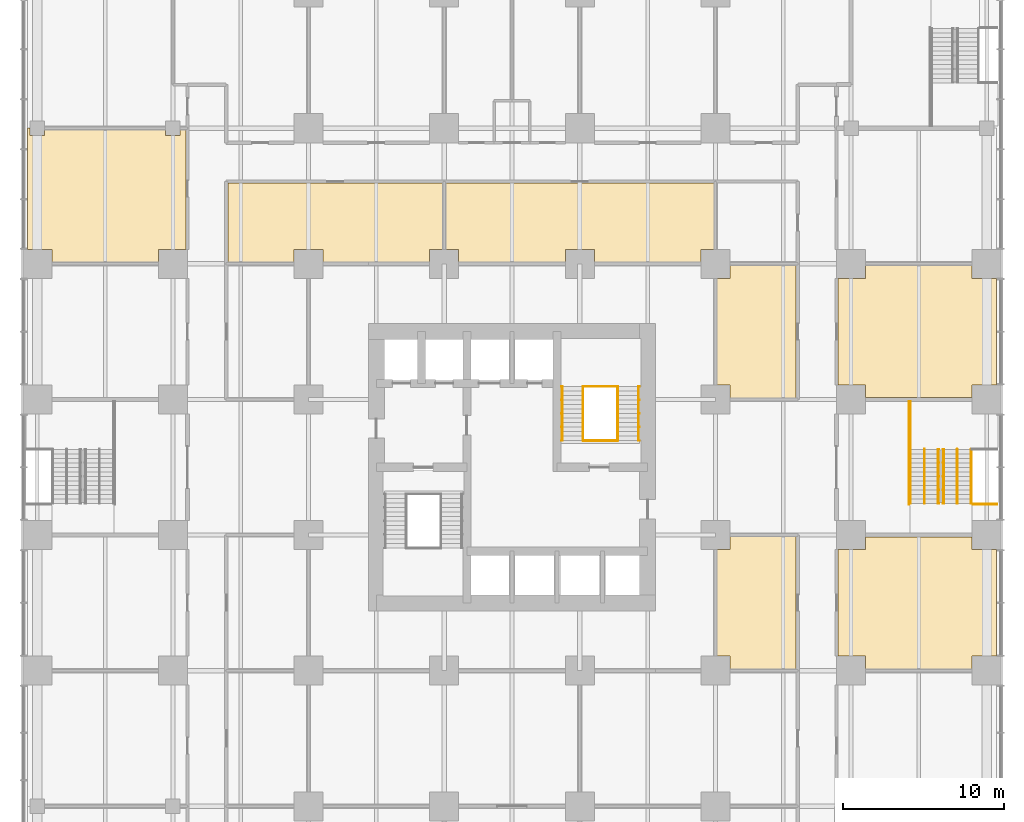
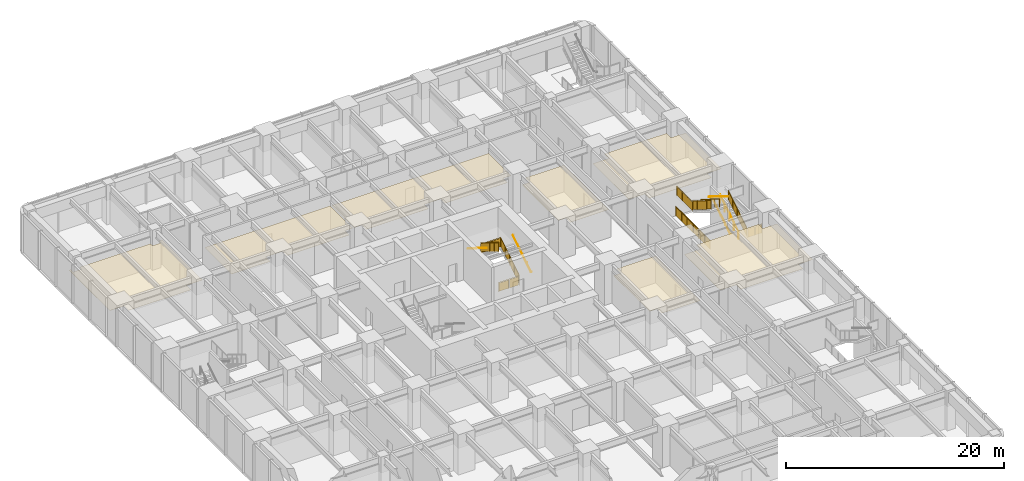
# One storey, part 18 of 19: 15 railings, 7 coverings.
"""IFC4 building model written with IfcOpenShell, lengths in metres."""

from ifc_helpers import new_model, si_unit, direction, frame, origin, origin_2d, place, context, subcontext, project, spatial, polyline, circle, outline, extrude, material, layer, layer_set, type_object, element, save


model = new_model("IFC4")

# Units and contexts
model_context = context("Model", 3, precision=1e-05, world=origin(), true_north=direction((0.0, 1.0)))
body_context = subcontext(model_context, "Body", "Model", "MODEL_VIEW")
ifc_project = project(units=[si_unit("LENGTHUNIT", "METRE"), si_unit("AREAUNIT", "SQUARE_METRE"), si_unit("VOLUMEUNIT", "CUBIC_METRE"), si_unit("PLANEANGLEUNIT", "RADIAN"), si_unit("MASSUNIT", "GRAM", prefix="KILO")], contexts=[model_context])

# Site, building, storey
site_placement = place(None, origin())
site = spatial("IfcSite", under=ifc_project, at=site_placement, CompositionType="ELEMENT")
building_placement = place(site_placement, origin())
building = spatial("IfcBuilding", under=site, at=building_placement, Name="Torre Alcanfor", CompositionType="ELEMENT")
storey_placement = place(building_placement, frame((0.0, 0.0, 6.0)))
storey = spatial("IfcBuildingStorey", under=building, at=storey_placement, Name="L01", CompositionType="ELEMENT", Elevation=6.0)

# Coverings
ifc_material_1 = material(Name="Mineral fibre acoustic tile 20 mm, NRC 0.70, on exposed suspension grid", Category="mineral fibre")
ifc_layer = layer(ifc_material_1, 0.02001953125)
ifc_layer_set = layer_set([ifc_layer], Name="Acoustic suspended ceiling 600x600 mineral fibre tile")
covering_type = type_object("IfcCoveringType", Name="Acoustic suspended ceiling 600x600 mineral fibre tile", PredefinedType="CEILING", material=ifc_layer_set)
covering_1_placement = place(storey_placement, frame((0.0, 0.0, 2.75)))
element("IfcCovering", 1, at=covering_1_placement, inside=storey, type_object=covering_type, Name="Ceiling L01-15", PredefinedType="CEILING", context=body_context, shape_type="SweptSolid", body=[
    extrude(outline(polyline([(57.89990234375, 16.875), (57.89990234375, 17.699951171875), (59.425048828125, 17.699951171875), (59.425048828125, 24.300048828125), (57.89990234375, 24.300048828125), (57.89990234375, 25.074951171875), (51.300048828125, 25.074951171875), (51.300048828125, 24.300048828125), (49.60009765625, 24.300048828125), (49.60009765625, 17.699951171875), (51.300048828125, 17.699951171875), (51.300048828125, 16.875), (57.89990234375, 16.875)])), origin(), (0.0, 0.0, 1.0), 0.02001953125),
])
covering_2_placement = place(storey_placement, frame((0.0, 0.0, 2.75)))
element("IfcCovering", 2, at=covering_2_placement, inside=storey, type_object=covering_type, Name="Ceiling L01-17", PredefinedType="CEILING", context=body_context, shape_type="SweptSolid", body=[
    extrude(outline(polyline([(57.89990234375, 33.72509765625), (57.89990234375, 34.5), (59.425048828125, 34.5), (59.425048828125, 41.10009765625), (57.89990234375, 41.10009765625), (57.89990234375, 41.925048828125), (51.300048828125, 41.925048828125), (51.300048828125, 41.10009765625), (49.60009765625, 41.10009765625), (49.60009765625, 34.5), (51.300048828125, 34.5), (51.300048828125, 33.72509765625), (57.89990234375, 33.72509765625)])), origin(), (0.0, 0.0, 1.0), 0.02001953125),
])
covering_3_placement = place(storey_placement, frame((0.0, 0.0, 2.75)))
element("IfcCovering", 3, at=covering_3_placement, inside=storey, type_object=covering_type, Name="Ceiling L01-18", PredefinedType="CEILING", context=body_context, shape_type="SweptSolid", body=[
    extrude(outline(polyline([(-0.449951171875, 49.949951171875), (-0.449951171875, 50.39990234375), (-0.625, 50.39990234375), (-0.625, 42.89990234375), (0.89990234375, 42.89990234375), (0.89990234375, 42.074951171875), (7.5, 42.074951171875), (7.5, 42.89990234375), (9.199951171875, 42.89990234375), (9.199951171875, 50.324951171875), (8.85009765625, 50.324951171875), (8.85009765625, 49.949951171875), (7.949951171875, 49.949951171875), (7.949951171875, 50.324951171875), (0.449951171875, 50.324951171875), (0.449951171875, 49.949951171875), (-0.449951171875, 49.949951171875)])), origin(), (0.0, 0.0, 1.0), 0.02001953125),
])
covering_4_placement = place(storey_placement, frame((0.0, 0.0, 3.0)))
element("IfcCovering", 4, at=covering_4_placement, inside=storey, type_object=covering_type, Name="Ceiling L01-I09", PredefinedType="CEILING", context=body_context, shape_type="SweptSolid", body=[
    extrude(outline(polyline([(42.89990234375, 25.10009765625), (42.89990234375, 24.300048828125), (42.10009765625, 24.300048828125), (42.10009765625, 17.699951171875), (42.89990234375, 17.699951171875), (42.89990234375, 16.875), (47.0, 16.875), (47.0, 25.10009765625), (42.89990234375, 25.10009765625)])), origin(), (0.0, 0.0, 1.0), 0.02001953125),
])
covering_5_placement = place(storey_placement, frame((0.0, 0.0, 3.0)))
element("IfcCovering", 5, at=covering_5_placement, inside=storey, type_object=covering_type, Name="Ceiling L01-I11", PredefinedType="CEILING", context=body_context, shape_type="SweptSolid", body=[
    extrude(outline(polyline([(42.10009765625, 34.5), (42.89990234375, 34.5), (42.89990234375, 33.699951171875), (47.0, 33.699951171875), (47.0, 41.925048828125), (42.89990234375, 41.925048828125), (42.89990234375, 41.10009765625), (42.10009765625, 41.10009765625), (42.10009765625, 34.5)])), origin(), (0.0, 0.0, 1.0), 0.02001953125),
])
covering_6_placement = place(storey_placement, frame((0.0, 0.0, 3.0)))
element("IfcCovering", 6, at=covering_6_placement, inside=storey, type_object=covering_type, Name="Ceiling L01-I12", PredefinedType="CEILING", context=body_context, shape_type="SweptSolid", body=[
    extrude(outline(polyline([(24.300048828125, 42.10009765625), (24.300048828125, 42.89990234375), (25.125, 42.89990234375), (25.125, 47.0), (11.800048828125, 47.0), (11.800048828125, 42.074951171875), (15.89990234375, 42.074951171875), (15.89990234375, 42.89990234375), (17.699951171875, 42.89990234375), (17.699951171875, 42.10009765625), (24.300048828125, 42.10009765625)])), origin(), (0.0, 0.0, 1.0), 0.02001953125),
])
covering_7_placement = place(storey_placement, frame((0.0, 0.0, 3.0)))
element("IfcCovering", 7, at=covering_7_placement, inside=storey, type_object=covering_type, Name="Ceiling L01-I13", PredefinedType="CEILING", context=body_context, shape_type="SweptSolid", body=[
    extrude(outline(polyline([(41.10009765625, 42.10009765625), (41.10009765625, 42.89990234375), (41.925048828125, 42.89990234375), (41.925048828125, 47.0), (25.27490234375, 47.0), (25.27490234375, 42.89990234375), (26.10009765625, 42.89990234375), (26.10009765625, 42.10009765625), (32.699951171875, 42.10009765625), (32.699951171875, 42.89990234375), (34.5, 42.89990234375), (34.5, 42.10009765625), (41.10009765625, 42.10009765625)])), origin(), (0.0, 0.0, 1.0), 0.02001953125),
])

# Railings
ifc_material_2 = material(Name="Steel ASTM A500 Grade C hollow sections", Category="steel")
railing_type_1 = type_object("IfcRailingType", Name="Stair guard and handrail 1100", PredefinedType="GUARDRAIL", material=ifc_material_2)
railing_1_placement = place(storey_placement, frame((35.949951171875, 31.050048828125, 0.173095703125)))
element("IfcRailing", 8, at=railing_1_placement, inside=storey, type_object=railing_type_1, Name="Stair guard S2 L01 flight 1", PredefinedType="GUARDRAIL", context=body_context, shape_type="SweptSolid", body=[
    extrude(circle(Radius=0.02392578125, at=origin_2d()), frame((0.0, 0.0, 1.076171875), z_axis=(0.0, 0.850606129759, 0.525803396734), x_axis=(-1.0, 0.0, 0.0)), (0.0, 0.0, 1.0), 3.949951171875),
    extrude(circle(Radius=0.02099609375, at=origin_2d()), origin(), (0.0, 0.0, 1.0), 1.052001953125),
    extrude(circle(Radius=0.02099609375, at=origin_2d()), frame((0.0, 0.83984375, 0.519287109375)), (0.0, 0.0, 1.0), 1.052001953125),
    extrude(circle(Radius=0.02099609375, at=origin_2d()), frame((0.0, 1.679931640625, 1.03857421875)), (0.0, 0.0, 1.0), 1.052001953125),
    extrude(circle(Radius=0.02099609375, at=origin_2d()), frame((0.0, 2.52001953125, 1.5576171875)), (0.0, 0.0, 1.0), 1.052001953125),
    extrude(circle(Radius=0.02099609375, at=origin_2d()), frame((0.0, 3.35986328125, 2.076904296875)), (0.0, 0.0, 1.0), 1.052001953125),
    extrude(outline(polyline([(0.041015625, 0.075439453125), (0.799072265625, 0.5439453125), (0.799072265625, 1.495849609375), (0.041015625, 1.02734375), (0.041015625, 0.075439453125)])), frame((-0.005859375, 0.0, 0.0), z_axis=(1.0, 0.0, 0.0), x_axis=(0.0, 1.0, 0.0)), (0.0, 0.0, 1.0), 0.011962890625),
    extrude(outline(polyline([(0.880859375, 0.594482421875), (1.638916015625, 1.06298828125), (1.638916015625, 2.01513671875), (0.880859375, 1.546630859375), (0.880859375, 0.594482421875)])), frame((-0.005859375, 0.0, 0.0), z_axis=(1.0, 0.0, 0.0), x_axis=(0.0, 1.0, 0.0)), (0.0, 0.0, 1.0), 0.011962890625),
    extrude(outline(polyline([(1.720947265625, 1.11376953125), (2.47900390625, 1.582275390625), (2.47900390625, 2.534423828125), (1.720947265625, 2.06591796875), (1.720947265625, 1.11376953125)])), frame((-0.005859375, 0.0, 0.0), z_axis=(1.0, 0.0, 0.0), x_axis=(0.0, 1.0, 0.0)), (0.0, 0.0, 1.0), 0.011962890625),
    extrude(outline(polyline([(2.560791015625, 1.633056640625), (3.31884765625, 2.1015625), (3.31884765625, 3.053466796875), (2.560791015625, 2.5849609375), (2.560791015625, 1.633056640625)])), frame((-0.005859375, 0.0, 0.0), z_axis=(1.0, 0.0, 0.0), x_axis=(0.0, 1.0, 0.0)), (0.0, 0.0, 1.0), 0.011962890625),
])
railing_2_placement = place(storey_placement, frame((33.800048828125, 34.409912109375, 2.423095703125)))
element("IfcRailing", 9, at=railing_2_placement, inside=storey, type_object=railing_type_1, Name="Stair guard S2 L01 flight 2", PredefinedType="GUARDRAIL", context=body_context, shape_type="SweptSolid", body=[
    extrude(circle(Radius=0.02392578125, at=origin_2d()), frame((0.0, 0.0, 1.076171875), z_axis=(0.0, -0.850606129759, 0.525803396734), x_axis=(1.0, 0.0, 0.0)), (0.0, 0.0, 1.0), 3.949951171875),
    extrude(circle(Radius=0.02099609375, at=origin_2d()), origin(), (0.0, 0.0, 1.0), 1.052001953125),
    extrude(circle(Radius=0.02099609375, at=origin_2d()), frame((0.0, -0.83984375, 0.519287109375)), (0.0, 0.0, 1.0), 1.052001953125),
    extrude(circle(Radius=0.02099609375, at=origin_2d()), frame((0.0, -1.679931640625, 1.03857421875)), (0.0, 0.0, 1.0), 1.052001953125),
    extrude(circle(Radius=0.02099609375, at=origin_2d()), frame((0.0, -2.52001953125, 1.5576171875)), (0.0, 0.0, 1.0), 1.052001953125),
    extrude(circle(Radius=0.02099609375, at=origin_2d()), frame((0.0, -3.35986328125, 2.076904296875)), (0.0, 0.0, 1.0), 1.052001953125),
    extrude(outline(polyline([(0.041015625, 0.075439453125), (0.799072265625, 0.5439453125), (0.799072265625, 1.495849609375), (0.041015625, 1.02734375), (0.041015625, 0.075439453125)])), frame((0.005859375, 0.0, 0.0), z_axis=(-1.0, 0.0, 0.0), x_axis=(0.0, -1.0, 0.0)), (0.0, 0.0, 1.0), 0.011962890625),
    extrude(outline(polyline([(0.880859375, 0.594482421875), (1.638916015625, 1.06298828125), (1.638916015625, 2.01513671875), (0.880859375, 1.546630859375), (0.880859375, 0.594482421875)])), frame((0.005859375, 0.0, 0.0), z_axis=(-1.0, 0.0, 0.0), x_axis=(0.0, -1.0, 0.0)), (0.0, 0.0, 1.0), 0.011962890625),
    extrude(outline(polyline([(1.720947265625, 1.11376953125), (2.47900390625, 1.582275390625), (2.47900390625, 2.534423828125), (1.720947265625, 2.06591796875), (1.720947265625, 1.11376953125)])), frame((0.005859375, 0.0, 0.0), z_axis=(-1.0, 0.0, 0.0), x_axis=(0.0, -1.0, 0.0)), (0.0, 0.0, 1.0), 0.011962890625),
    extrude(outline(polyline([(2.560791015625, 1.633056640625), (3.31884765625, 2.1015625), (3.31884765625, 3.053466796875), (2.560791015625, 2.5849609375), (2.560791015625, 1.633056640625)])), frame((0.005859375, 0.0, 0.0), z_axis=(-1.0, 0.0, 0.0), x_axis=(0.0, -1.0, 0.0)), (0.0, 0.0, 1.0), 0.011962890625),
])
for number, where, name in (
    (10, (33.800048828125, 31.050048828125, 0.0), "Stair well guard S2 L01 floor landing"),
    (11, (33.800048828125, 34.409912109375, 2.25), "Stair well guard S2 L01 half landing"),
):
    element("IfcRailing", number, at=place(storey_placement, frame(where)), inside=storey, type_object=railing_type_1, Name=name, PredefinedType="GUARDRAIL", context=body_context, shape_type="SweptSolid", body=[
        extrude(circle(Radius=0.02392578125, at=origin_2d()), frame((0.0, 0.0, 1.076171875), z_axis=(1.0, 0.0, 0.0), x_axis=(0.0, 1.0, 0.0)), (0.0, 0.0, 1.0), 2.14990234375),
        extrude(circle(Radius=0.02099609375, at=origin_2d()), origin(), (0.0, 0.0, 1.0), 1.052001953125),
        extrude(circle(Radius=0.02099609375, at=origin_2d()), frame((1.074951171875, 0.0, 0.0)), (0.0, 0.0, 1.0), 1.052001953125),
        extrude(circle(Radius=0.02099609375, at=origin_2d()), frame((2.14990234375, 0.0, 0.0)), (0.0, 0.0, 1.0), 1.052001953125),
        extrude(outline(polyline([(0.041015625, 0.050048828125), (1.033935546875, 0.050048828125), (1.033935546875, 1.001953125), (0.041015625, 1.001953125), (0.041015625, 0.050048828125)])), frame((0.0, 0.005859375, 0.0), z_axis=(0.0, -1.0, 0.0), x_axis=(1.0, 0.0, 0.0)), (0.0, 0.0, 1.0), 0.011962890625),
        extrude(outline(polyline([(1.115966796875, 0.050048828125), (2.10888671875, 0.050048828125), (2.10888671875, 1.001953125), (1.115966796875, 1.001953125), (1.115966796875, 0.050048828125)])), frame((0.0, 0.005859375, 0.0), z_axis=(0.0, -1.0, 0.0), x_axis=(1.0, 0.0, 0.0)), (0.0, 0.0, 1.0), 0.011962890625),
    ])
railing_3_placement = place(storey_placement, frame((53.989990234375, 27.10498046875, 0.0)))
element("IfcRailing", 12, at=railing_3_placement, inside=storey, type_object=railing_type_1, Name="Stair well guard SS2 L01 door side", PredefinedType="GUARDRAIL", context=body_context, shape_type="SweptSolid", body=[
    extrude(circle(Radius=0.02392578125, at=origin_2d()), frame((0.0, 0.0, 1.076171875), z_axis=(0.0, 1.0, 0.0), x_axis=(-1.0, 0.0, 0.0)), (0.0, 0.0, 1.0), 6.360107421875),
    extrude(circle(Radius=0.02099609375, at=origin_2d()), origin(), (0.0, 0.0, 1.0), 1.052001953125),
    extrude(circle(Radius=0.02099609375, at=origin_2d()), frame((0.0, 1.06005859375, 0.0)), (0.0, 0.0, 1.0), 1.052001953125),
    extrude(circle(Radius=0.02099609375, at=origin_2d()), frame((0.0, 2.1201171875, 0.0)), (0.0, 0.0, 1.0), 1.052001953125),
    extrude(circle(Radius=0.02099609375, at=origin_2d()), frame((0.0, 3.18017578125, 0.0)), (0.0, 0.0, 1.0), 1.052001953125),
    extrude(circle(Radius=0.02099609375, at=origin_2d()), frame((0.0, 4.239990234375, 0.0)), (0.0, 0.0, 1.0), 1.052001953125),
    extrude(circle(Radius=0.02099609375, at=origin_2d()), frame((0.0, 5.300048828125, 0.0)), (0.0, 0.0, 1.0), 1.052001953125),
    extrude(circle(Radius=0.02099609375, at=origin_2d()), frame((0.0, 6.360107421875, 0.0)), (0.0, 0.0, 1.0), 1.052001953125),
    extrude(outline(polyline([(0.041015625, 0.050048828125), (1.01904296875, 0.050048828125), (1.01904296875, 1.001953125), (0.041015625, 1.001953125), (0.041015625, 0.050048828125)])), frame((-0.005859375, 0.0, 0.0), z_axis=(1.0, 0.0, 0.0), x_axis=(0.0, 1.0, 0.0)), (0.0, 0.0, 1.0), 0.011962890625),
    extrude(outline(polyline([(1.10107421875, 0.050048828125), (2.0791015625, 0.050048828125), (2.0791015625, 1.001953125), (1.10107421875, 1.001953125), (1.10107421875, 0.050048828125)])), frame((-0.005859375, 0.0, 0.0), z_axis=(1.0, 0.0, 0.0), x_axis=(0.0, 1.0, 0.0)), (0.0, 0.0, 1.0), 0.011962890625),
    extrude(outline(polyline([(2.1611328125, 0.050048828125), (3.13916015625, 0.050048828125), (3.13916015625, 1.001953125), (2.1611328125, 1.001953125), (2.1611328125, 0.050048828125)])), frame((-0.005859375, 0.0, 0.0), z_axis=(1.0, 0.0, 0.0), x_axis=(0.0, 1.0, 0.0)), (0.0, 0.0, 1.0), 0.011962890625),
    extrude(outline(polyline([(3.220947265625, 0.050048828125), (4.198974609375, 0.050048828125), (4.198974609375, 1.001953125), (3.220947265625, 1.001953125), (3.220947265625, 0.050048828125)])), frame((-0.005859375, 0.0, 0.0), z_axis=(1.0, 0.0, 0.0), x_axis=(0.0, 1.0, 0.0)), (0.0, 0.0, 1.0), 0.011962890625),
    extrude(outline(polyline([(4.281005859375, 0.050048828125), (5.259033203125, 0.050048828125), (5.259033203125, 1.001953125), (4.281005859375, 1.001953125), (4.281005859375, 0.050048828125)])), frame((-0.005859375, 0.0, 0.0), z_axis=(1.0, 0.0, 0.0), x_axis=(0.0, 1.0, 0.0)), (0.0, 0.0, 1.0), 0.011962890625),
    extrude(outline(polyline([(5.341064453125, 0.050048828125), (6.319091796875, 0.050048828125), (6.319091796875, 1.001953125), (5.341064453125, 1.001953125), (5.341064453125, 0.050048828125)])), frame((-0.005859375, 0.0, 0.0), z_axis=(1.0, 0.0, 0.0), x_axis=(0.0, 1.0, 0.0)), (0.0, 0.0, 1.0), 0.011962890625),
])
railing_4_placement = place(storey_placement, frame((59.449951171875, 27.10498046875, 0.0)))
element("IfcRailing", 13, at=railing_4_placement, inside=storey, type_object=railing_type_1, Name="Stair well guard SS2 L01 facade strip", PredefinedType="GUARDRAIL", context=body_context, shape_type="SweptSolid", body=[
    extrude(circle(Radius=0.02392578125, at=origin_2d()), frame((0.0, 0.0, 1.076171875), z_axis=(-1.0, 0.0, 0.0), x_axis=(0.0, -1.0, 0.0)), (0.0, 0.0, 1.0), 1.5),
    extrude(circle(Radius=0.02099609375, at=origin_2d()), origin(), (0.0, 0.0, 1.0), 1.052001953125),
    extrude(circle(Radius=0.02099609375, at=origin_2d()), frame((-0.75, 0.0, 0.0)), (0.0, 0.0, 1.0), 1.052001953125),
    extrude(circle(Radius=0.02099609375, at=origin_2d()), frame((-1.5, 0.0, 0.0)), (0.0, 0.0, 1.0), 1.052001953125),
    extrude(outline(polyline([(0.041015625, 0.050048828125), (0.708984375, 0.050048828125), (0.708984375, 1.001953125), (0.041015625, 1.001953125), (0.041015625, 0.050048828125)])), frame((0.0, -0.005859375, 0.0), z_axis=(0.0, 1.0, 0.0), x_axis=(-1.0, 0.0, 0.0)), (0.0, 0.0, 1.0), 0.011962890625),
    extrude(outline(polyline([(0.791015625, 0.050048828125), (1.458984375, 0.050048828125), (1.458984375, 1.001953125), (0.791015625, 1.001953125), (0.791015625, 0.050048828125)])), frame((0.0, -0.005859375, 0.0), z_axis=(0.0, 1.0, 0.0), x_axis=(-1.0, 0.0, 0.0)), (0.0, 0.0, 1.0), 0.011962890625),
])
railing_5_placement = place(storey_placement, frame((57.85009765625, 27.155029296875, 0.173095703125)))
element("IfcRailing", 14, at=railing_5_placement, inside=storey, type_object=railing_type_1, Name="Stair guard SS2 L01 flight 1", PredefinedType="GUARDRAIL", context=body_context, shape_type="SweptSolid", body=[
    extrude(circle(Radius=0.02392578125, at=origin_2d()), frame((0.0, 0.0, 1.076171875), z_axis=(0.0, 0.850606129759, 0.525803396734), x_axis=(-1.0, 0.0, 0.0)), (0.0, 0.0, 1.0), 3.949951171875),
    extrude(circle(Radius=0.02099609375, at=origin_2d()), origin(), (0.0, 0.0, 1.0), 1.052001953125),
    extrude(circle(Radius=0.02099609375, at=origin_2d()), frame((0.0, 0.83984375, 0.519287109375)), (0.0, 0.0, 1.0), 1.052001953125),
    extrude(circle(Radius=0.02099609375, at=origin_2d()), frame((0.0, 1.679931640625, 1.03857421875)), (0.0, 0.0, 1.0), 1.052001953125),
    extrude(circle(Radius=0.02099609375, at=origin_2d()), frame((0.0, 2.52001953125, 1.5576171875)), (0.0, 0.0, 1.0), 1.052001953125),
    extrude(circle(Radius=0.02099609375, at=origin_2d()), frame((0.0, 3.35986328125, 2.076904296875)), (0.0, 0.0, 1.0), 1.052001953125),
    extrude(outline(polyline([(0.041015625, 0.075439453125), (0.799072265625, 0.5439453125), (0.799072265625, 1.495849609375), (0.041015625, 1.02734375), (0.041015625, 0.075439453125)])), frame((-0.005859375, 0.0, 0.0), z_axis=(1.0, 0.0, 0.0), x_axis=(0.0, 1.0, 0.0)), (0.0, 0.0, 1.0), 0.011962890625),
    extrude(outline(polyline([(0.880859375, 0.594482421875), (1.638916015625, 1.06298828125), (1.638916015625, 2.01513671875), (0.880859375, 1.546630859375), (0.880859375, 0.594482421875)])), frame((-0.005859375, 0.0, 0.0), z_axis=(1.0, 0.0, 0.0), x_axis=(0.0, 1.0, 0.0)), (0.0, 0.0, 1.0), 0.011962890625),
    extrude(outline(polyline([(1.720947265625, 1.11376953125), (2.47900390625, 1.582275390625), (2.47900390625, 2.534423828125), (1.720947265625, 2.06591796875), (1.720947265625, 1.11376953125)])), frame((-0.005859375, 0.0, 0.0), z_axis=(1.0, 0.0, 0.0), x_axis=(0.0, 1.0, 0.0)), (0.0, 0.0, 1.0), 0.011962890625),
    extrude(outline(polyline([(2.560791015625, 1.633056640625), (3.31884765625, 2.1015625), (3.31884765625, 3.053466796875), (2.560791015625, 2.5849609375), (2.560791015625, 1.633056640625)])), frame((-0.005859375, 0.0, 0.0), z_axis=(1.0, 0.0, 0.0), x_axis=(0.0, 1.0, 0.0)), (0.0, 0.0, 1.0), 0.011962890625),
])
railing_6_placement = place(storey_placement, frame((54.090087890625, 30.514892578125, 2.423095703125)))
element("IfcRailing", 15, at=railing_6_placement, inside=storey, type_object=railing_type_1, Name="Stair guard SS2 L01 flight 2", PredefinedType="GUARDRAIL", context=body_context, shape_type="SweptSolid", body=[
    extrude(circle(Radius=0.02392578125, at=origin_2d()), frame((0.0, 0.0, 1.076171875), z_axis=(0.0, -0.850606129759, 0.525803396734), x_axis=(1.0, 0.0, 0.0)), (0.0, 0.0, 1.0), 3.949951171875),
    extrude(circle(Radius=0.02099609375, at=origin_2d()), origin(), (0.0, 0.0, 1.0), 1.052001953125),
    extrude(circle(Radius=0.02099609375, at=origin_2d()), frame((0.0, -0.83984375, 0.519287109375)), (0.0, 0.0, 1.0), 1.052001953125),
    extrude(circle(Radius=0.02099609375, at=origin_2d()), frame((0.0, -1.679931640625, 1.03857421875)), (0.0, 0.0, 1.0), 1.052001953125),
    extrude(circle(Radius=0.02099609375, at=origin_2d()), frame((0.0, -2.52001953125, 1.5576171875)), (0.0, 0.0, 1.0), 1.052001953125),
    extrude(circle(Radius=0.02099609375, at=origin_2d()), frame((0.0, -3.35986328125, 2.076904296875)), (0.0, 0.0, 1.0), 1.052001953125),
    extrude(outline(polyline([(0.041015625, 0.075439453125), (0.799072265625, 0.5439453125), (0.799072265625, 1.495849609375), (0.041015625, 1.02734375), (0.041015625, 0.075439453125)])), frame((0.005859375, 0.0, 0.0), z_axis=(-1.0, 0.0, 0.0), x_axis=(0.0, -1.0, 0.0)), (0.0, 0.0, 1.0), 0.011962890625),
    extrude(outline(polyline([(0.880859375, 0.594482421875), (1.638916015625, 1.06298828125), (1.638916015625, 2.01513671875), (0.880859375, 1.546630859375), (0.880859375, 0.594482421875)])), frame((0.005859375, 0.0, 0.0), z_axis=(-1.0, 0.0, 0.0), x_axis=(0.0, -1.0, 0.0)), (0.0, 0.0, 1.0), 0.011962890625),
    extrude(outline(polyline([(1.720947265625, 1.11376953125), (2.47900390625, 1.582275390625), (2.47900390625, 2.534423828125), (1.720947265625, 2.06591796875), (1.720947265625, 1.11376953125)])), frame((0.005859375, 0.0, 0.0), z_axis=(-1.0, 0.0, 0.0), x_axis=(0.0, -1.0, 0.0)), (0.0, 0.0, 1.0), 0.011962890625),
    extrude(outline(polyline([(2.560791015625, 1.633056640625), (3.31884765625, 2.1015625), (3.31884765625, 3.053466796875), (2.560791015625, 2.5849609375), (2.560791015625, 1.633056640625)])), frame((0.005859375, 0.0, 0.0), z_axis=(-1.0, 0.0, 0.0), x_axis=(0.0, -1.0, 0.0)), (0.0, 0.0, 1.0), 0.011962890625),
])
railing_7_placement = place(storey_placement, frame((54.090087890625, 30.514892578125, 2.25)))
element("IfcRailing", 16, at=railing_7_placement, inside=storey, type_object=railing_type_1, Name="Stair guard SS2 L01 half landing", PredefinedType="GUARDRAIL", context=body_context, shape_type="SweptSolid", body=[
    extrude(circle(Radius=0.02392578125, at=origin_2d()), frame((0.0, 0.0, 1.076171875), z_axis=(0.0, 1.0, 0.0), x_axis=(-1.0, 0.0, 0.0)), (0.0, 0.0, 1.0), 2.9501953125),
    extrude(circle(Radius=0.02099609375, at=origin_2d()), origin(), (0.0, 0.0, 1.0), 1.052001953125),
    extrude(circle(Radius=0.02099609375, at=origin_2d()), frame((0.0, 0.9833984375, 0.0)), (0.0, 0.0, 1.0), 1.052001953125),
    extrude(circle(Radius=0.02099609375, at=origin_2d()), frame((0.0, 1.966796875, 0.0)), (0.0, 0.0, 1.0), 1.052001953125),
    extrude(circle(Radius=0.02099609375, at=origin_2d()), frame((0.0, 2.9501953125, 0.0)), (0.0, 0.0, 1.0), 1.052001953125),
    extrude(outline(polyline([(0.041015625, 0.050048828125), (0.9423828125, 0.050048828125), (0.9423828125, 1.001953125), (0.041015625, 1.001953125), (0.041015625, 0.050048828125)])), frame((-0.005859375, 0.0, 0.0), z_axis=(1.0, 0.0, 0.0), x_axis=(0.0, 1.0, 0.0)), (0.0, 0.0, 1.0), 0.011962890625),
    extrude(outline(polyline([(1.0244140625, 0.050048828125), (1.92578125, 0.050048828125), (1.92578125, 1.001953125), (1.0244140625, 1.001953125), (1.0244140625, 0.050048828125)])), frame((-0.005859375, 0.0, 0.0), z_axis=(1.0, 0.0, 0.0), x_axis=(0.0, 1.0, 0.0)), (0.0, 0.0, 1.0), 0.011962890625),
    extrude(outline(polyline([(2.0078125, 0.050048828125), (2.9091796875, 0.050048828125), (2.9091796875, 1.001953125), (2.0078125, 1.001953125), (2.0078125, 0.050048828125)])), frame((-0.005859375, 0.0, 0.0), z_axis=(1.0, 0.0, 0.0), x_axis=(0.0, 1.0, 0.0)), (0.0, 0.0, 1.0), 0.011962890625),
])
ifc_material_3 = material(Name="Steel ASTM A500 Grade C hollow sections", Category="steel")
railing_type_2 = type_object("IfcRailingType", Name="Stair intermediate handrail 900", PredefinedType="HANDRAIL", material=ifc_material_3)
railing_8_placement = place(storey_placement, frame((56.985107421875, 27.155029296875, 0.173095703125)))
element("IfcRailing", 17, at=railing_8_placement, inside=storey, type_object=railing_type_2, Name="Stair intermediate handrail SS2 L01 flight 1 rail 1", PredefinedType="HANDRAIL", context=body_context, shape_type="SweptSolid", body=[
    extrude(circle(Radius=0.02392578125, at=origin_2d()), frame((0.0, 0.0, 0.8759765625), z_axis=(0.0, 0.850606129759, 0.525803396734), x_axis=(-1.0, 0.0, 0.0)), (0.0, 0.0, 1.0), 3.949951171875),
    extrude(circle(Radius=0.02099609375, at=origin_2d()), origin(), (0.0, 0.0, 1.0), 0.851806640625),
    extrude(circle(Radius=0.02099609375, at=origin_2d()), frame((0.0, 0.83984375, 0.519287109375)), (0.0, 0.0, 1.0), 0.851806640625),
    extrude(circle(Radius=0.02099609375, at=origin_2d()), frame((0.0, 1.679931640625, 1.03857421875)), (0.0, 0.0, 1.0), 0.851806640625),
    extrude(circle(Radius=0.02099609375, at=origin_2d()), frame((0.0, 2.52001953125, 1.5576171875)), (0.0, 0.0, 1.0), 0.851806640625),
    extrude(circle(Radius=0.02099609375, at=origin_2d()), frame((0.0, 3.35986328125, 2.076904296875)), (0.0, 0.0, 1.0), 0.851806640625),
])
railing_9_placement = place(storey_placement, frame((54.955078125, 30.514892578125, 2.423095703125)))
element("IfcRailing", 18, at=railing_9_placement, inside=storey, type_object=railing_type_2, Name="Stair intermediate handrail SS2 L01 flight 2 rail 1", PredefinedType="HANDRAIL", context=body_context, shape_type="SweptSolid", body=[
    extrude(circle(Radius=0.02392578125, at=origin_2d()), frame((0.0, 0.0, 0.8759765625), z_axis=(0.0, -0.850606129759, 0.525803396734), x_axis=(1.0, 0.0, 0.0)), (0.0, 0.0, 1.0), 3.949951171875),
    extrude(circle(Radius=0.02099609375, at=origin_2d()), origin(), (0.0, 0.0, 1.0), 0.851806640625),
    extrude(circle(Radius=0.02099609375, at=origin_2d()), frame((0.0, -0.83984375, 0.519287109375)), (0.0, 0.0, 1.0), 0.851806640625),
    extrude(circle(Radius=0.02099609375, at=origin_2d()), frame((0.0, -1.679931640625, 1.03857421875)), (0.0, 0.0, 1.0), 0.851806640625),
    extrude(circle(Radius=0.02099609375, at=origin_2d()), frame((0.0, -2.52001953125, 1.5576171875)), (0.0, 0.0, 1.0), 0.851806640625),
    extrude(circle(Radius=0.02099609375, at=origin_2d()), frame((0.0, -3.35986328125, 2.076904296875)), (0.0, 0.0, 1.0), 0.851806640625),
])
ifc_material_4 = material(Name="Steel ASTM A500 Grade C hollow sections", Category="steel")
railing_type_3 = type_object("IfcRailingType", Name="Stair wall handrail 900", PredefinedType="HANDRAIL", material=ifc_material_4)
railing_10_placement = place(storey_placement, frame((37.235107421875, 31.050048828125, 0.173095703125)))
element("IfcRailing", 19, at=railing_10_placement, inside=storey, type_object=railing_type_3, Name="Stair handrail S2 L01 flight 1", PredefinedType="HANDRAIL", context=body_context, shape_type="SweptSolid", body=[
    extrude(circle(Radius=0.02392578125, at=origin_2d()), frame((0.0, 0.0, 0.8759765625), z_axis=(0.0, 0.850606129759, 0.525803396734), x_axis=(-1.0, 0.0, 0.0)), (0.0, 0.0, 1.0), 3.949951171875),
    extrude(circle(Radius=0.008056640625, at=origin_2d()), frame((0.0, 0.0, 0.8759765625), z_axis=(1.0, 0.0, 0.0), x_axis=(0.0, 0.0, 1.0)), (0.0, 0.0, 1.0), 0.06494140625),
    extrude(circle(Radius=0.008056640625, at=origin_2d()), frame((0.0, 0.83984375, 1.39501953125), z_axis=(1.0, 0.0, 0.0), x_axis=(0.0, 0.0, 1.0)), (0.0, 0.0, 1.0), 0.06494140625),
    extrude(circle(Radius=0.008056640625, at=origin_2d()), frame((0.0, 1.679931640625, 1.914306640625), z_axis=(1.0, 0.0, 0.0), x_axis=(0.0, 0.0, 1.0)), (0.0, 0.0, 1.0), 0.06494140625),
    extrude(circle(Radius=0.008056640625, at=origin_2d()), frame((0.0, 2.52001953125, 2.43359375), z_axis=(1.0, 0.0, 0.0), x_axis=(0.0, 0.0, 1.0)), (0.0, 0.0, 1.0), 0.06494140625),
    extrude(circle(Radius=0.008056640625, at=origin_2d()), frame((0.0, 3.35986328125, 2.95263671875), z_axis=(1.0, 0.0, 0.0), x_axis=(0.0, 0.0, 1.0)), (0.0, 0.0, 1.0), 0.06494140625),
])
railing_11_placement = place(storey_placement, frame((32.514892578125, 34.409912109375, 2.423095703125)))
element("IfcRailing", 20, at=railing_11_placement, inside=storey, type_object=railing_type_3, Name="Stair handrail S2 L01 flight 2", PredefinedType="HANDRAIL", context=body_context, shape_type="SweptSolid", body=[
    extrude(circle(Radius=0.02392578125, at=origin_2d()), frame((0.0, 0.0, 0.8759765625), z_axis=(0.0, -0.850606129759, 0.525803396734), x_axis=(1.0, 0.0, 0.0)), (0.0, 0.0, 1.0), 3.949951171875),
    extrude(circle(Radius=0.008056640625, at=origin_2d()), frame((0.0, 0.0, 0.8759765625), z_axis=(-1.0, 0.0, 0.0), x_axis=(0.0, 0.0, 1.0)), (0.0, 0.0, 1.0), 0.06494140625),
    extrude(circle(Radius=0.008056640625, at=origin_2d()), frame((0.0, -0.83984375, 1.39501953125), z_axis=(-1.0, 0.0, 0.0), x_axis=(0.0, 0.0, 1.0)), (0.0, 0.0, 1.0), 0.06494140625),
    extrude(circle(Radius=0.008056640625, at=origin_2d()), frame((0.0, -1.679931640625, 1.914306640625), z_axis=(-1.0, 0.0, 0.0), x_axis=(0.0, 0.0, 1.0)), (0.0, 0.0, 1.0), 0.06494140625),
    extrude(circle(Radius=0.008056640625, at=origin_2d()), frame((0.0, -2.52001953125, 2.43359375), z_axis=(-1.0, 0.0, 0.0), x_axis=(0.0, 0.0, 1.0)), (0.0, 0.0, 1.0), 0.06494140625),
    extrude(circle(Radius=0.008056640625, at=origin_2d()), frame((0.0, -3.35986328125, 2.95263671875), z_axis=(-1.0, 0.0, 0.0), x_axis=(0.0, 0.0, 1.0)), (0.0, 0.0, 1.0), 0.06494140625),
])
railing_12_placement = place(storey_placement, frame((56.135009765625, 27.155029296875, 0.173095703125)))
element("IfcRailing", 21, at=railing_12_placement, inside=storey, type_object=railing_type_3, Name="Stair handrail SS2 L01 flight 1", PredefinedType="HANDRAIL", context=body_context, shape_type="SweptSolid", body=[
    extrude(circle(Radius=0.02392578125, at=origin_2d()), frame((0.0, 0.0, 0.8759765625), z_axis=(0.0, 0.850606129759, 0.525803396734), x_axis=(-1.0, 0.0, 0.0)), (0.0, 0.0, 1.0), 3.949951171875),
    extrude(circle(Radius=0.008056640625, at=origin_2d()), frame((0.0, 0.0, 0.8759765625), z_axis=(-1.0, 0.0, 0.0), x_axis=(0.0, 0.0, 1.0)), (0.0, 0.0, 1.0), 0.06494140625),
    extrude(circle(Radius=0.008056640625, at=origin_2d()), frame((0.0, 0.83984375, 1.39501953125), z_axis=(-1.0, 0.0, 0.0), x_axis=(0.0, 0.0, 1.0)), (0.0, 0.0, 1.0), 0.06494140625),
    extrude(circle(Radius=0.008056640625, at=origin_2d()), frame((0.0, 1.679931640625, 1.914306640625), z_axis=(-1.0, 0.0, 0.0), x_axis=(0.0, 0.0, 1.0)), (0.0, 0.0, 1.0), 0.06494140625),
    extrude(circle(Radius=0.008056640625, at=origin_2d()), frame((0.0, 2.52001953125, 2.43359375), z_axis=(-1.0, 0.0, 0.0), x_axis=(0.0, 0.0, 1.0)), (0.0, 0.0, 1.0), 0.06494140625),
    extrude(circle(Radius=0.008056640625, at=origin_2d()), frame((0.0, 3.35986328125, 2.95263671875), z_axis=(-1.0, 0.0, 0.0), x_axis=(0.0, 0.0, 1.0)), (0.0, 0.0, 1.0), 0.06494140625),
])
railing_13_placement = place(storey_placement, frame((55.804931640625, 30.514892578125, 2.423095703125)))
element("IfcRailing", 22, at=railing_13_placement, inside=storey, type_object=railing_type_3, Name="Stair handrail SS2 L01 flight 2", PredefinedType="HANDRAIL", context=body_context, shape_type="SweptSolid", body=[
    extrude(circle(Radius=0.02392578125, at=origin_2d()), frame((0.0, 0.0, 0.8759765625), z_axis=(0.0, -0.850606129759, 0.525803396734), x_axis=(1.0, 0.0, 0.0)), (0.0, 0.0, 1.0), 3.949951171875),
    extrude(circle(Radius=0.008056640625, at=origin_2d()), frame((0.0, 0.0, 0.8759765625), z_axis=(1.0, 0.0, 0.0), x_axis=(0.0, 0.0, 1.0)), (0.0, 0.0, 1.0), 0.06494140625),
    extrude(circle(Radius=0.008056640625, at=origin_2d()), frame((0.0, -0.83984375, 1.39501953125), z_axis=(1.0, 0.0, 0.0), x_axis=(0.0, 0.0, 1.0)), (0.0, 0.0, 1.0), 0.06494140625),
    extrude(circle(Radius=0.008056640625, at=origin_2d()), frame((0.0, -1.679931640625, 1.914306640625), z_axis=(1.0, 0.0, 0.0), x_axis=(0.0, 0.0, 1.0)), (0.0, 0.0, 1.0), 0.06494140625),
    extrude(circle(Radius=0.008056640625, at=origin_2d()), frame((0.0, -2.52001953125, 2.43359375), z_axis=(1.0, 0.0, 0.0), x_axis=(0.0, 0.0, 1.0)), (0.0, 0.0, 1.0), 0.06494140625),
    extrude(circle(Radius=0.008056640625, at=origin_2d()), frame((0.0, -3.35986328125, 2.95263671875), z_axis=(1.0, 0.0, 0.0), x_axis=(0.0, 0.0, 1.0)), (0.0, 0.0, 1.0), 0.06494140625),
])

save(model, "model.ifc")
